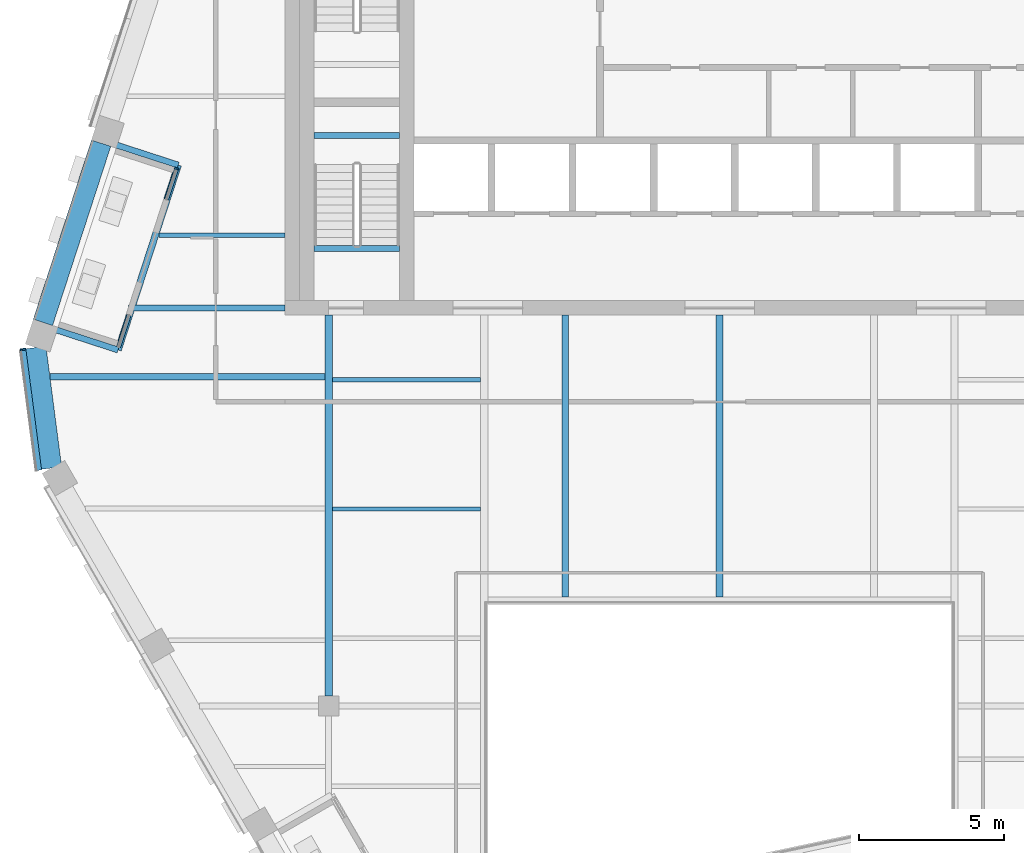
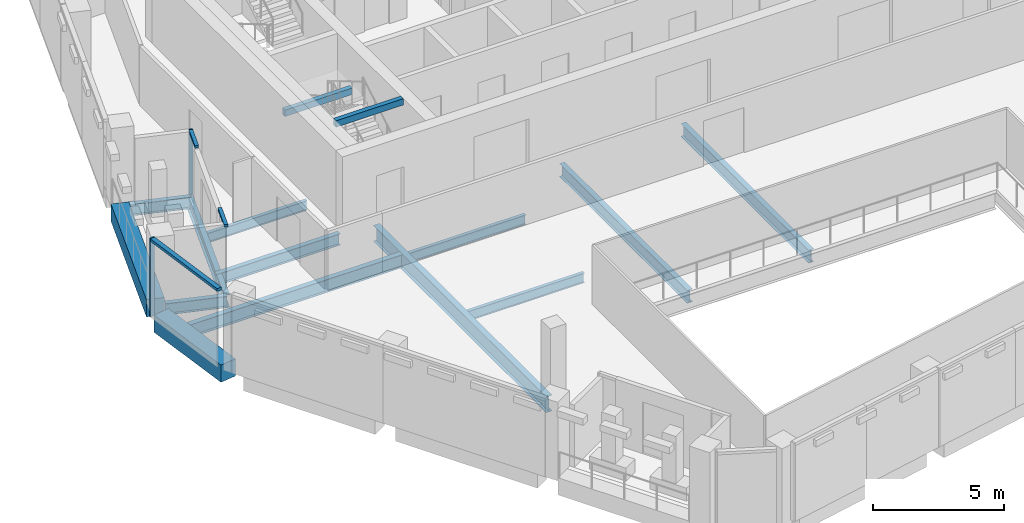
# One storey, part 4 of 22: 15 beams, 5 members, 2 elements without a shape of their own.
"""IFC4 building model written with IfcOpenShell, lengths in metres."""

from ifc_helpers import new_model, si_unit, direction, frame, origin, origin_2d, place, context, subcontext, project, spatial, rectangle, i_section, extrude, material, layer, layer_set, material_profile, profile_set, type_object, element, aggregate, save


model = new_model("IFC4")

# Units and contexts
model_context = context("Model", 3, precision=1e-05, world=origin(), true_north=direction((0.0, 1.0)))
body_context = subcontext(model_context, "Body", "Model", "MODEL_VIEW")
ifc_project = project(units=[si_unit("LENGTHUNIT", "METRE"), si_unit("AREAUNIT", "SQUARE_METRE"), si_unit("VOLUMEUNIT", "CUBIC_METRE"), si_unit("PLANEANGLEUNIT", "RADIAN"), si_unit("MASSUNIT", "GRAM", prefix="KILO")], contexts=[model_context])

# Site, building, storey
site_placement = place(None, origin())
site = spatial("IfcSite", under=ifc_project, at=site_placement, CompositionType="ELEMENT")
building_placement = place(site_placement, origin())
building = spatial("IfcBuilding", under=site, at=building_placement, Name="Isthmus Gate Tower", CompositionType="ELEMENT")
storey_placement = place(building_placement, frame((0.0, 0.0, 264.60009765625)))
storey = spatial("IfcBuildingStorey", under=building, at=storey_placement, Name="L67", CompositionType="ELEMENT", Elevation=264.60009765625)

# Curtain wall, members
ifc_material_1 = material(Name="Aluminium, pale champagne anodised", Category="aluminium")
ifc_layer_1 = layer(ifc_material_1, 0.199951171875)
ifc_layer_set_1 = layer_set([ifc_layer_1], Name="CW-1 UNITISED CURTAIN WALL 200 DEEP")
curtain_wall_type_1 = type_object("IfcCurtainWallType", Name="CW-1 UNITISED CURTAIN WALL 200 DEEP", PredefinedType="NOTDEFINED", material=ifc_layer_set_1)
curtain_wall_1_placement = place(storey_placement, origin())
curtain_wall_1 = element("IfcCurtainWall", 1, at=curtain_wall_1_placement, inside=storey, type_object=curtain_wall_type_1, Name="CW-1 NW-SW L67", PredefinedType="NOTDEFINED")
ifc_material_2 = material(Name="Aluminium, pale champagne anodised", Category="aluminium")
ifc_material_profile_1 = material_profile(ifc_material_2, rectangle(XDim=0.06005859375, YDim=0.199951171875, at=origin_2d()), Name="60x200")
ifc_profile_set_1 = profile_set([ifc_material_profile_1], Name="Aluminium, pale champagne anodised")
member_type_1 = type_object("IfcMemberType", Name="CW-1 MULLION 60 X 200", PredefinedType="MULLION", material=ifc_profile_set_1)
member_1_placement = place(storey_placement, frame((-24.0576171875, -1.18603515625, 0.0), z_axis=(0.0, 0.0, 1.0), x_axis=(0.129164534, -0.991623175988, 0.0)))
member_1 = element("IfcMember", 2, at=member_1_placement, type_object=member_type_1, Name="CW-1 mullion", PredefinedType="MULLION", context=body_context, shape_type="SweptSolid", body=[
    extrude(rectangle(XDim=0.06005859375, YDim=0.199951171875, at=origin_2d()), origin(), (0.0, 0.0, 1.0), 3.64990234375),
])
ifc_material_3 = material(Name="Aluminium, pale champagne anodised", Category="aluminium")
ifc_material_profile_2 = material_profile(ifc_material_3, rectangle(XDim=0.199951171875, YDim=0.1298828125, at=origin_2d()), Name="200x130")
ifc_profile_set_2 = profile_set([ifc_material_profile_2], Name="Aluminium, pale champagne anodised")
member_type_2 = type_object("IfcMemberType", Name="CW-1 TRANSOM 200 X 130", PredefinedType="USERDEFINED", material=ifc_profile_set_2)
member_2_placement = place(storey_placement, frame((-24.0537109375, -1.215576171875, 3.5849609375), z_axis=(0.129149481977, -0.991625136483, 0.0), x_axis=(0.991625136483, 0.129149481977, 0.0)))
member_2 = element("IfcMember", 3, at=member_2_placement, type_object=member_type_2, Name="CW-1 transom", ObjectType="TRANSOM", PredefinedType="USERDEFINED", context=body_context, shape_type="SweptSolid", body=[
    extrude(rectangle(XDim=0.199951171875, YDim=0.1298828125, at=origin_2d()), origin(), (0.0, 0.0, 1.0), 4.181396484375),
])
aggregate(curtain_wall_1, [member_1, member_2])

ifc_material_4 = material(Name="Aluminium, pale champagne anodised", Category="aluminium")
ifc_layer_2 = layer(ifc_material_4, 0.14990234375)
ifc_layer_set_2 = layer_set([ifc_layer_2], Name="CW-6 LOGGIA BACK WALL GLAZING 150 DEEP")
curtain_wall_type_2 = type_object("IfcCurtainWallType", Name="CW-6 LOGGIA BACK WALL GLAZING 150 DEEP", PredefinedType="NOTDEFINED", material=ifc_layer_set_2)
curtain_wall_2_placement = place(storey_placement, origin())
curtain_wall_2 = element("IfcCurtainWall", 4, at=curtain_wall_2_placement, inside=storey, type_object=curtain_wall_type_2, Name="CW-6 NW L67", PredefinedType="NOTDEFINED")
ifc_material_5 = material(Name="Aluminium, pale champagne anodised", Category="aluminium")
ifc_material_profile_3 = material_profile(ifc_material_5, rectangle(XDim=0.06005859375, YDim=0.14990234375, at=origin_2d()), Name="60x150")
ifc_profile_set_3 = profile_set([ifc_material_profile_3], Name="Aluminium, pale champagne anodised")
member_type_3 = type_object("IfcMemberType", Name="CW-6 MULLION 60 X 150", PredefinedType="MULLION", material=ifc_profile_set_3)
member_3_placement = place(storey_placement, frame((-18.7529296875, 5.055908203125, 0.0), z_axis=(0.0, 0.0, 1.0), x_axis=(-0.309016994375, -0.951056516295, 0.0)))
member_3 = element("IfcMember", 5, at=member_3_placement, type_object=member_type_3, Name="CW-6 mullion", PredefinedType="MULLION", context=body_context, shape_type="SweptSolid", body=[
    extrude(rectangle(XDim=0.06005859375, YDim=0.14990234375, at=origin_2d()), origin(), (0.0, 0.0, 1.0), 3.0498046875),
])
ifc_material_6 = material(Name="Aluminium, pale champagne anodised", Category="aluminium")
ifc_material_profile_4 = material_profile(ifc_material_6, rectangle(XDim=0.14990234375, YDim=0.1201171875, at=origin_2d()), Name="150x120")
ifc_profile_set_4 = profile_set([ifc_material_profile_4], Name="Aluminium, pale champagne anodised")
member_type_4 = type_object("IfcMemberType", Name="CW-6 TRANSOM 150 X 120", PredefinedType="USERDEFINED", material=ifc_profile_set_4)
member_4_placement = place(storey_placement, frame((-18.76220703125, 5.02734375, 2.989990234375), z_axis=(-0.309050727458, -0.951045555091, 0.0), x_axis=(0.951045555091, -0.309050727458, 0.0)))
member_4 = element("IfcMember", 6, at=member_4_placement, type_object=member_type_4, Name="CW-6 transom", ObjectType="TRANSOM", PredefinedType="USERDEFINED", context=body_context, shape_type="SweptSolid", body=[
    extrude(rectangle(XDim=0.14990234375, YDim=0.1201171875, at=origin_2d()), origin(), (0.0, 0.0, 1.0), 1.09326171875),
])
member_5_placement = place(storey_placement, frame((-20.39794921875, -0.0068359375, 2.989990234375), z_axis=(-0.30904299549, -0.951048067628, 0.0), x_axis=(0.951048067628, -0.30904299549, 0.0)))
member_5 = element("IfcMember", 7, at=member_5_placement, type_object=member_type_4, Name="CW-6 transom", ObjectType="TRANSOM", PredefinedType="USERDEFINED", context=body_context, shape_type="SweptSolid", body=[
    extrude(rectangle(XDim=0.14990234375, YDim=0.1201171875, at=origin_2d()), origin(), (0.0, 0.0, 1.0), 1.1533203125),
])
aggregate(curtain_wall_2, [member_3, member_4, member_5])

# Beams
ifc_material_7 = material(Name="Concrete f'c 50 MPa", Category="concrete")
ifc_material_profile_5 = material_profile(ifc_material_7, rectangle(XDim=0.699951171875, YDim=0.800048828125, at=origin_2d()), Name="RC 700X800")
ifc_profile_set_5 = profile_set([ifc_material_profile_5], Name="Concrete f'c 50 MPa")
beam_type_1 = type_object("IfcBeamType", Name="RC SPANDREL 700 X 800", PredefinedType="SPANDREL", material=ifc_profile_set_5)
beam_1_placement = place(storey_placement, frame((-23.070068359375, -5.283447265625, -0.400146484375), z_axis=(-0.129137748309, 0.991626664608, 0.0), x_axis=(-0.991626664608, -0.129137748309, 0.0)))
element("IfcBeam", 8, at=beam_1_placement, inside=storey, type_object=beam_type_1, Name="str-spandrel-L67-16", PredefinedType="SPANDREL", context=body_context, shape_type="SweptSolid", body=[
    extrude(rectangle(XDim=0.699951171875, YDim=0.800048828125, at=origin_2d()), origin(), (0.0, 0.0, 1.0), 4.197021484375),
])
beam_2_placement = place(storey_placement, frame((-23.36962890625, -0.254150390625, -0.400146484375), z_axis=(0.30901480678, 0.951057227085, 0.0), x_axis=(-0.951057227085, 0.30901480678, 0.0)))
element("IfcBeam", 9, at=beam_2_placement, inside=storey, type_object=beam_type_1, Name="str-spandrel-L67-17", PredefinedType="SPANDREL", context=body_context, shape_type="SweptSolid", body=[
    extrude(rectangle(XDim=0.699951171875, YDim=0.800048828125, at=origin_2d()), origin(), (0.0, 0.0, 1.0), 6.5068359375),
])
ifc_material_8 = material(Name="Concrete f'c 40 MPa", Category="concrete")
ifc_material_profile_6 = material_profile(ifc_material_8, rectangle(XDim=0.199951171875, YDim=0.300048828125, at=origin_2d()), Name="STAIR LANDING BEAM RC 200 X 300")
ifc_profile_set_6 = profile_set([ifc_material_profile_6], Name="Concrete f'c 40 MPa")
beam_type_2 = type_object("IfcBeamType", Name="STAIR LANDING BEAM RC 200 X 300", PredefinedType="BEAM", material=ifc_profile_set_6)
for number, where, z_axis, x_axis, name in (
    (10, (-14.0, 6.199951171875, 1.474853515625), (1.0, 0.0, 0.0), (0.0, 1.0, 0.0), "L67 ST7 landing beam 1"),
    (11, (-14.0, 2.2998046875, 3.349853515625), (1.0, 0.0, 0.0), (0.0, 1.0, 0.0), "L67 ST7 floor-edge seat beam"),
):
    element("IfcBeam", number, at=place(storey_placement, frame(where, z_axis=z_axis, x_axis=x_axis)), inside=storey, type_object=beam_type_2, Name=name, PredefinedType="BEAM", context=body_context, shape_type="SweptSolid", body=[
        extrude(rectangle(XDim=0.199951171875, YDim=0.300048828125, at=origin_2d()), origin(), (0.0, 0.0, 1.0), 2.949951171875),
    ])
ifc_material_9 = material(Name="Structural steel ASTM A992 Gr 50", Category="steel")
ifc_material_profile_7 = material_profile(ifc_material_9, i_section(OverallWidth=0.15234375, OverallDepth=0.45068359375, WebThickness=0.0078125, FlangeThickness=0.010986328125, at=origin_2d()), Name="W18X35")
ifc_profile_set_7 = profile_set([ifc_material_profile_7], Name="Structural steel ASTM A992 Gr 50")
beam_type_3 = type_object("IfcBeamType", Name="STEEL FLOOR BEAM W18X35", PredefinedType="JOIST", material=ifc_profile_set_7)
beam_3_placement = place(storey_placement, frame((-19.365478515625, 2.75390625, -0.37548828125), z_axis=(1.0, 0.0, 0.0), x_axis=(0.0, 1.0, 0.0)))
element("IfcBeam", 12, at=beam_3_placement, inside=storey, type_object=beam_type_3, Name="str-beam-L67-02-00", PredefinedType="JOIST", context=body_context, shape_type="SweptSolid", body=[
    extrude(i_section(OverallWidth=0.15234375, OverallDepth=0.45068359375, WebThickness=0.0078125, FlangeThickness=0.010986328125, at=origin_2d()), origin(), (0.0, 0.0, 1.0), 4.365478515625),
])
for number, where, z_axis, x_axis, name in (
    (13, (-13.3681640625, -6.697509765625, -0.37548828125), (1.0, 0.0, 0.0), (0.0, 1.0, 0.0), "str-beam-L67-05-01"),
    (14, (-13.3681640625, -2.232421875, -0.37548828125), (1.0, 0.0, 0.0), (0.0, 1.0, 0.0), "str-beam-L67-05-02"),
):
    element("IfcBeam", number, at=place(storey_placement, frame(where, z_axis=z_axis, x_axis=x_axis)), inside=storey, type_object=beam_type_3, Name=name, PredefinedType="JOIST", context=body_context, shape_type="SweptSolid", body=[
        extrude(i_section(OverallWidth=0.15234375, OverallDepth=0.45068359375, WebThickness=0.0078125, FlangeThickness=0.010986328125, at=origin_2d()), origin(), (0.0, 0.0, 1.0), 5.1142578125),
    ])
ifc_material_10 = material(Name="Structural steel ASTM A992 Gr 50", Category="steel")
ifc_material_profile_8 = material_profile(ifc_material_10, i_section(OverallWidth=0.228515625, OverallDepth=0.603271484375, WebThickness=0.010986328125, FlangeThickness=0.014404296875, at=origin_2d()), Name="W24X68")
ifc_profile_set_8 = profile_set([ifc_material_profile_8], Name="Structural steel ASTM A992 Gr 50")
beam_type_4 = type_object("IfcBeamType", Name="STEEL FLOOR BEAM W24X68", PredefinedType="JOIST", material=ifc_profile_set_8)
beam_4_placement = place(storey_placement, frame((-23.1279296875, -2.12890625, -0.45166015625), z_axis=(1.0, 0.0, 0.0), x_axis=(0.0, 1.0, 0.0)))
element("IfcBeam", 15, at=beam_4_placement, inside=storey, type_object=beam_type_4, Name="str-beam-L67-01-02", PredefinedType="JOIST", context=body_context, shape_type="SweptSolid", body=[
    extrude(i_section(OverallWidth=0.228515625, OverallDepth=0.603271484375, WebThickness=0.010986328125, FlangeThickness=0.014404296875, at=origin_2d()), origin(), (0.0, 0.0, 1.0), 9.49609375),
])
for number, where, z_axis, x_axis, name in (
    (16, (-5.333251953125, -9.7333984375, -0.45166015625), (0.0, 1.0, 0.0), (-1.0, 0.0, 0.0), "str-beam-L67-08-00"),
    (17, (0.0, -9.7333984375, -0.45166015625), (0.0, 1.0, 0.0), (-1.0, 0.0, 0.0), "str-beam-L67-08-01"),
):
    element("IfcBeam", number, at=place(storey_placement, frame(where, z_axis=z_axis, x_axis=x_axis)), inside=storey, type_object=beam_type_4, Name=name, PredefinedType="JOIST", context=body_context, shape_type="SweptSolid", body=[
        extrude(i_section(OverallWidth=0.228515625, OverallDepth=0.603271484375, WebThickness=0.010986328125, FlangeThickness=0.014404296875, at=origin_2d()), origin(), (0.0, 0.0, 1.0), 9.7333984375),
    ])
ifc_material_11 = material(Name="Structural steel ASTM A992 Gr 50", Category="steel")
ifc_material_profile_9 = material_profile(ifc_material_11, i_section(OverallWidth=0.20947265625, OverallDepth=0.533447265625, WebThickness=0.009521484375, FlangeThickness=0.015869140625, at=origin_2d()), Name="W21X62")
ifc_profile_set_9 = profile_set([ifc_material_profile_9], Name="Structural steel ASTM A992 Gr 50")
beam_type_5 = type_object("IfcBeamType", Name="STEEL GIRDER W21X62", PredefinedType="BEAM", material=ifc_profile_set_9)
beam_5_placement = place(storey_placement, frame((-15.0, 0.25, -0.416748046875), z_axis=(-1.0, 0.0, 0.0), x_axis=(0.0, -1.0, 0.0)))
element("IfcBeam", 18, at=beam_5_placement, inside=storey, type_object=beam_type_5, Name="str-girder-L67-09", PredefinedType="BEAM", context=body_context, shape_type="SweptSolid", body=[
    extrude(i_section(OverallWidth=0.20947265625, OverallDepth=0.533447265625, WebThickness=0.009521484375, FlangeThickness=0.015869140625, at=origin_2d()), origin(), (0.0, 0.0, 1.0), 5.41943359375),
])
ifc_material_12 = material(Name="Structural steel ASTM A992 Gr 50", Category="steel")
ifc_material_profile_10 = material_profile(ifc_material_12, i_section(OverallWidth=0.263427734375, OverallDepth=0.749267578125, WebThickness=0.0126953125, FlangeThickness=0.015869140625, at=origin_2d()), Name="W30X90")
ifc_profile_set_10 = profile_set([ifc_material_profile_10], Name="Structural steel ASTM A992 Gr 50")
beam_type_6 = type_object("IfcBeamType", Name="STEEL GIRDER W30X90", PredefinedType="BEAM", material=ifc_profile_set_10)
beam_6_placement = place(storey_placement, frame((-13.5, -13.14990234375, -0.524658203125), z_axis=(0.0, 1.0, 0.0), x_axis=(-1.0, 0.0, 0.0)))
element("IfcBeam", 19, at=beam_6_placement, inside=storey, type_object=beam_type_6, Name="str-girder-L67-06", PredefinedType="BEAM", context=body_context, shape_type="SweptSolid", body=[
    extrude(i_section(OverallWidth=0.263427734375, OverallDepth=0.749267578125, WebThickness=0.0126953125, FlangeThickness=0.015869140625, at=origin_2d()), origin(), (0.0, 0.0, 1.0), 13.14990234375),
])
ifc_material_13 = material(Name="Structural steel ASTM A992 Gr 50", Category="steel")
ifc_material_profile_11 = material_profile(ifc_material_13, i_section(OverallWidth=0.20947265625, OverallDepth=0.533447265625, WebThickness=0.009521484375, FlangeThickness=0.015869140625, at=origin_2d()), Name="W21X62")
ifc_profile_set_11 = profile_set([ifc_material_profile_11], Name="Structural steel ASTM A992 Gr 50")
beam_type_7 = type_object("IfcBeamType", Name="STEEL TRIMMER W21X62", PredefinedType="BEAM", material=ifc_profile_set_11)
for number, where, z_axis, x_axis, name in (
    (20, (-20.99365234375, 5.92578125, -0.416748046875), (0.951052645113, -0.309028908396, 0.0), (0.309028908396, 0.951052645113, 0.0), "str-loggiatrim-L67-02-A"),
    (21, (-23.069091796875, -0.4619140625, -0.416748046875), (0.951052645113, -0.309028908396, 0.0), (0.309028908396, 0.951052645113, 0.0), "str-loggiatrim-L67-02-C"),
):
    element("IfcBeam", number, at=place(storey_placement, frame(where, z_axis=z_axis, x_axis=x_axis)), inside=storey, type_object=beam_type_7, Name=name, PredefinedType="BEAM", context=body_context, shape_type="SweptSolid", body=[
        extrude(i_section(OverallWidth=0.20947265625, OverallDepth=0.533447265625, WebThickness=0.009521484375, FlangeThickness=0.015869140625, at=origin_2d()), origin(), (0.0, 0.0, 1.0), 2.414306640625),
    ])
ifc_material_14 = material(Name="Structural steel ASTM A992 Gr 50", Category="steel")
ifc_material_profile_12 = material_profile(ifc_material_14, i_section(OverallWidth=0.228515625, OverallDepth=0.603271484375, WebThickness=0.010986328125, FlangeThickness=0.014404296875, at=origin_2d()), Name="W24X68")
ifc_profile_set_12 = profile_set([ifc_material_profile_12], Name="Structural steel ASTM A992 Gr 50")
beam_type_8 = type_object("IfcBeamType", Name="STEEL TRIMMER W24X68", PredefinedType="BEAM", material=ifc_profile_set_12)
beam_7_placement = place(storey_placement, frame((-18.697509765625, 5.1796875, -0.45166015625), z_axis=(-0.309010453717, -0.951058641459, 0.0), x_axis=(0.951058641459, -0.309010453717, 0.0)))
element("IfcBeam", 22, at=beam_7_placement, inside=storey, type_object=beam_type_8, Name="str-loggiatrim-L67-02-B", PredefinedType="BEAM", context=body_context, shape_type="SweptSolid", body=[
    extrude(i_section(OverallWidth=0.228515625, OverallDepth=0.603271484375, WebThickness=0.010986328125, FlangeThickness=0.014404296875, at=origin_2d()), origin(), (0.0, 0.0, 1.0), 6.71630859375),
])

save(model, "model.ifc")
